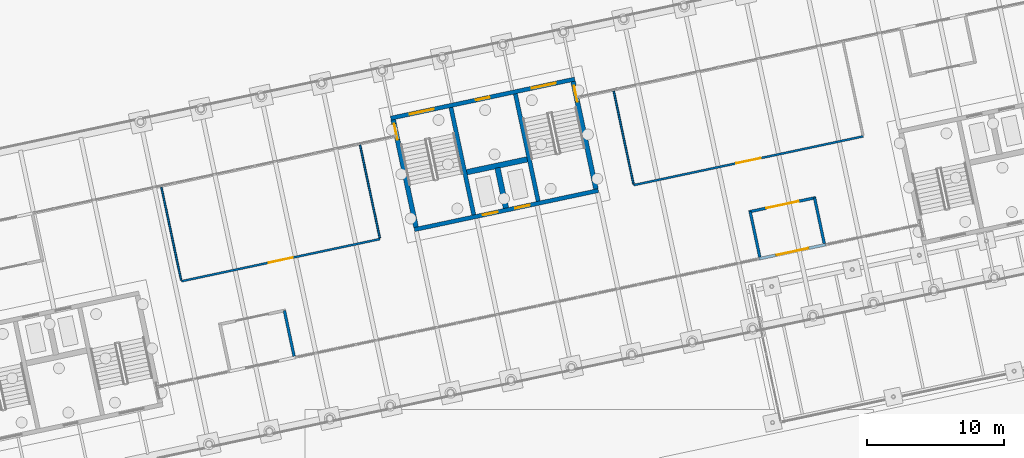
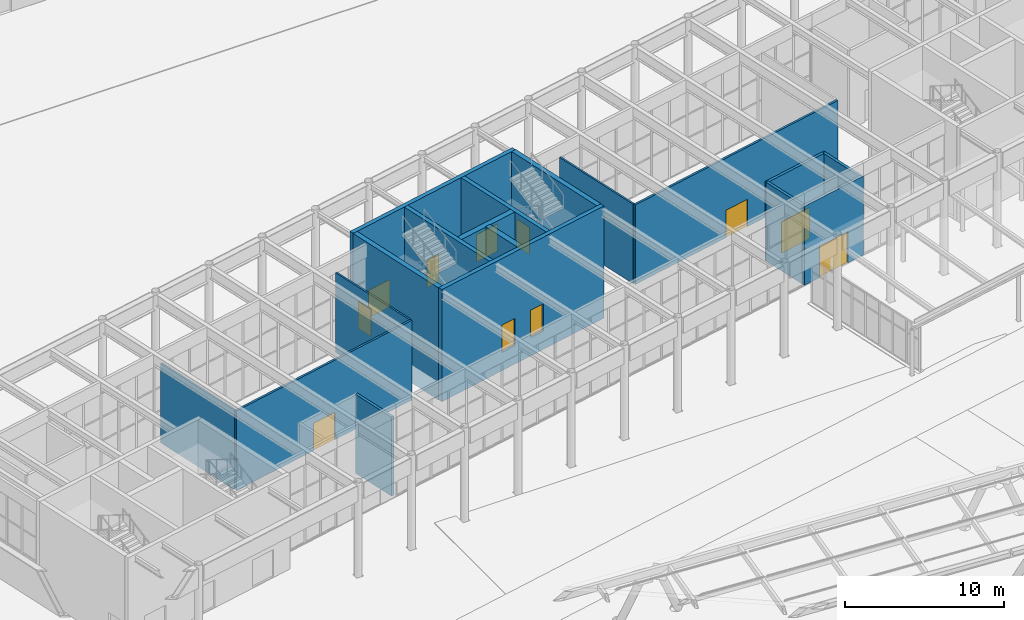
# One storey, part 166 of 239: 18 walls, 11 doors, 11 openings.
"""IFC4 building model written with IfcOpenShell, lengths in metres."""

from ifc_helpers import new_model, si_unit, direction, frame, frame_2d, origin, place, context, subcontext, project, spatial, rectangle, extrude, material, layer, layer_set, type_object, element, fill, save


model = new_model("IFC4")

# Units and contexts
model_context = context("Model", 3, precision=1e-05, world=origin(), true_north=direction((0.0, 1.0)))
body_context = subcontext(model_context, "Body", "Model", "MODEL_VIEW")
ifc_project = project(units=[si_unit("LENGTHUNIT", "METRE"), si_unit("AREAUNIT", "SQUARE_METRE"), si_unit("VOLUMEUNIT", "CUBIC_METRE"), si_unit("PLANEANGLEUNIT", "RADIAN"), si_unit("MASSUNIT", "GRAM", prefix="KILO")], contexts=[model_context])

# Site, building, storey
site_placement = place(None, origin())
site = spatial("IfcSite", under=ifc_project, at=site_placement, CompositionType="ELEMENT")
building_placement = place(site_placement, origin())
building = spatial("IfcBuilding", under=site, at=building_placement, Name="Okhra Congress Centre", CompositionType="ELEMENT")
storey_placement = place(building_placement, origin())
storey = spatial("IfcBuildingStorey", under=building, at=storey_placement, Name="L00", CompositionType="ELEMENT", Elevation=0.0)

# Wall, opening, door
ifc_material_1 = material(Name="Aluminium frame, triple glazing, laminated safety glass", Category="aluminium")
ifc_layer_1 = layer(ifc_material_1, 0.199951171875)
ifc_layer_set_1 = layer_set([ifc_layer_1], Name="Glazed entrance screen 200")
wall_type_1 = type_object("IfcWallType", Name="Glazed entrance screen 200", PredefinedType="SOLIDWALL", material=ifc_layer_set_1)
wall_1_placement = place(storey_placement, frame((123.087890625, 44.988037109375, 0.0), z_axis=(0.0, 0.0, 1.0), x_axis=(0.978149046495, 0.207904888932, 0.0)))
wall_1 = element("IfcWall", 1, at=wall_1_placement, inside=storey, type_object=wall_type_1, Name="Entrance screen 2", PredefinedType="SOLIDWALL", context=body_context, shape_type="SweptSolid", body=[
    extrude(rectangle(XDim=5.000244140625, YDim=0.199951171875, at=frame_2d((2.5, 0.0))), origin(), (0.0, 0.0, 1.0), 6.050048828125),
])
opening_1_placement = place(wall_1_placement, frame((1.300048828125, 0.0, 0.0)))
opening_1 = element("IfcOpeningElement", 2, at=opening_1_placement, cuts=wall_1, Name="Opening L00-283", PredefinedType="OPENING", context=body_context, shape_type="SweptSolid", body=[
    extrude(rectangle(XDim=2.39990234375, YDim=2.39990234375, at=frame_2d((1.199951171875, 1.199951171875))), frame((0.0, 0.10986328125, 0.0), z_axis=(0.0, -1.0, 0.0), x_axis=(1.0, 0.0, 0.0)), (0.0, 0.0, 1.0), 0.219970703125),
])
ifc_material_2 = material(Name="Aluminium-framed toughened glass sliding leaves, thermally broken", Category="aluminium")
door_type_1 = type_object("IfcDoorType", Name="Automatic sliding glazed door 2400x2400", OperationType="DOUBLE_DOOR_SLIDING", PredefinedType="DOOR", material=ifc_material_2)
door_1_placement = place(opening_1_placement, frame((2.39990234375, 0.0, 0.0), z_axis=(0.0, 0.0, 1.0), x_axis=(-1.0, 0.0, 0.0)))
door_1 = element("IfcDoor", 3, at=door_1_placement, inside=storey, type_object=door_type_1, Name="Door L00-283", OperationType="DOUBLE_DOOR_SLIDING", OverallHeight=2.39990234375, OverallWidth=2.39990234375, PredefinedType="DOOR", context=body_context, shape_type="SweptSolid", body=[
    extrude(rectangle(XDim=2.39990234375, YDim=2.39990234375, at=frame_2d((1.199951171875, 1.199951171875))), frame((0.0, 0.02490234375, 0.0), z_axis=(0.0, -1.0, 0.0), x_axis=(1.0, 0.0, 0.0)), (0.0, 0.0, 1.0), 0.050048828125),
])
fill(opening_1, door_1)

# Wall
ifc_layer_2 = layer(ifc_material_1, 0.199951171875)
ifc_layer_set_2 = layer_set([ifc_layer_2], Name="Glazed internal screen 200")
wall_type_2 = type_object("IfcWallType", Name="Glazed internal screen 200", PredefinedType="SOLIDWALL", material=ifc_layer_set_2)
wall_2_placement = place(storey_placement, frame((89.22314453125, 37.89208984375, 0.0), z_axis=(0.0, 0.0, 1.0), x_axis=(-0.207881084728, 0.978154105758, 0.0)))
element("IfcWall", 4, at=wall_2_placement, inside=storey, type_object=wall_type_2, Name="Vestibule side screen 1b", PredefinedType="SOLIDWALL", context=body_context, shape_type="SweptSolid", body=[
    extrude(rectangle(XDim=3.39990234375, YDim=0.199951171875, at=frame_2d((1.699951171875, 0.0))), origin(), (0.0, 0.0, 1.0), 6.050048828125),
])

# Wall, opening, door
wall_3_placement = place(storey_placement, frame((122.3603515625, 48.41162109375, 0.0), z_axis=(0.0, 0.0, 1.0), x_axis=(0.978146935828, 0.207914818928, 0.0)))
wall_3 = element("IfcWall", 5, at=wall_3_placement, inside=storey, type_object=wall_type_2, Name="Vestibule inner screen 2", PredefinedType="SOLIDWALL", context=body_context, shape_type="SweptSolid", body=[
    extrude(rectangle(XDim=5.0, YDim=0.199951171875, at=frame_2d((2.5, 0.0))), origin(), (0.0, 0.0, 1.0), 6.050048828125),
])
opening_2_placement = place(wall_3_placement, frame((1.300048828125, 0.0, 0.0)))
opening_2 = element("IfcOpeningElement", 6, at=opening_2_placement, cuts=wall_3, Name="Opening L00-284", PredefinedType="OPENING", context=body_context, shape_type="SweptSolid", body=[
    extrude(rectangle(XDim=2.39990234375, YDim=2.39990234375, at=frame_2d((1.199951171875, 1.199951171875))), frame((0.0, 0.10986328125, 0.0), z_axis=(0.0, -1.0, 0.0), x_axis=(1.0, 0.0, 0.0)), (0.0, 0.0, 1.0), 0.219970703125),
])
door_2_placement = place(opening_2_placement, origin())
door_2 = element("IfcDoor", 7, at=door_2_placement, inside=storey, type_object=door_type_1, Name="Door L00-284", OperationType="DOUBLE_DOOR_SLIDING", OverallHeight=2.39990234375, OverallWidth=2.39990234375, PredefinedType="DOOR", context=body_context, shape_type="SweptSolid", body=[
    extrude(rectangle(XDim=2.39990234375, YDim=2.39990234375, at=frame_2d((1.199951171875, 1.199951171875))), frame((0.0, 0.02490234375, 0.0), z_axis=(0.0, -1.0, 0.0), x_axis=(1.0, 0.0, 0.0)), (0.0, 0.0, 1.0), 0.050048828125),
])
fill(opening_2, door_2)

# Walls
for number, where, z_axis, x_axis, name in (
    (8, (123.1650390625, 45.106689453125, 0.0), (0.0, 0.0, 1.0), (-0.207949787024, 0.97813950236, 0.0), "Vestibule side screen 2a"),
    (9, (127.860107421875, 46.1044921875, 0.0), (0.0, 0.0, 1.0), (-0.207949787024, 0.97813950236, 0.0), "Vestibule side screen 2b"),
):
    element("IfcWall", number, at=place(storey_placement, frame(where, z_axis=z_axis, x_axis=x_axis)), inside=storey, type_object=wall_type_2, Name=name, PredefinedType="SOLIDWALL", context=body_context, shape_type="SweptSolid", body=[
        extrude(rectangle(XDim=3.39990234375, YDim=0.199951171875, at=frame_2d((1.699951171875, 0.0))), origin(), (0.0, 0.0, 1.0), 6.050048828125),
    ])
ifc_material_3 = material(Name="Gypsum board on steel studs", Category="steel")
ifc_layer_3 = layer(ifc_material_3, 0.125)
ifc_layer_set_3 = layer_set([ifc_layer_3], Name="Partition 125")
wall_type_3 = type_object("IfcWallType", Name="Partition 125", PredefinedType="PARTITIONING", material=ifc_layer_set_3)
for number, where, z_axis, x_axis, name in (
    (10, (79.552978515625, 50.200439453125, 0.0), (0.0, 0.0, 1.0), (0.207898812171, -0.978150338086, 0.0), "Room side wall 1a"),
    (11, (94.029541015625, 53.277587890625, 0.0), (0.0, 0.0, 1.0), (0.207898812171, -0.978150338086, 0.0), "Room side wall 1b"),
    (12, (112.516357421875, 57.20703125, 0.0), (0.0, 0.0, 1.0), (0.207932543024, -0.978143168228, 0.0), "Room side wall 2a"),
):
    element("IfcWall", number, at=place(storey_placement, frame(where, z_axis=z_axis, x_axis=x_axis)), inside=storey, type_object=wall_type_3, Name=name, PredefinedType="PARTITIONING", context=body_context, shape_type="SweptSolid", body=[
        extrude(rectangle(XDim=6.925048828125, YDim=0.125, at=frame_2d((3.46240234375, 0.0))), origin(), (0.0, 0.0, 1.0), 6.10009765625),
    ])

# Wall, opening, door
ifc_layer_4 = layer(ifc_material_3, 0.14990234375)
ifc_layer_set_4 = layer_set([ifc_layer_4], Name="Partition 150 EI 15")
wall_type_4 = type_object("IfcWallType", Name="Partition 150 EI 15", PredefinedType="PARTITIONING", material=ifc_layer_set_4)
wall_4_placement = place(storey_placement, frame((81.00830078125, 43.353515625, 0.0), z_axis=(0.0, 0.0, 1.0), x_axis=(0.978150129762, 0.20789979232, 0.0)))
wall_4 = element("IfcWall", 13, at=wall_4_placement, inside=storey, type_object=wall_type_4, Name="Room front wall 1", PredefinedType="PARTITIONING", context=body_context, shape_type="SweptSolid", body=[
    extrude(rectangle(XDim=14.800048828125, YDim=0.14990234375, at=frame_2d((7.39990234375, 0.0))), origin(), (0.0, 0.0, 1.0), 6.10009765625),
])
opening_3_placement = place(wall_4_placement, frame((6.5, 0.0, 0.0)))
opening_3 = element("IfcOpeningElement", 14, at=opening_3_placement, cuts=wall_4, Name="Opening L00-293", PredefinedType="OPENING", context=body_context, shape_type="SweptSolid", body=[
    extrude(rectangle(XDim=1.800048828125, YDim=2.10009765625, at=frame_2d((0.89990234375, 1.050048828125))), frame((0.0, 0.0849609375, 0.0), z_axis=(0.0, -1.0, 0.0), x_axis=(1.0, 0.0, 0.0)), (0.0, 0.0, 1.0), 0.169921875),
])
ifc_material_4 = material(Name="Timber door leaves in steel frame", Category="steel")
door_type_2 = type_object("IfcDoorType", Name="Double swing door 1800x2100", OperationType="NOTDEFINED", PredefinedType="DOOR", material=ifc_material_4)
door_3_placement = place(opening_3_placement, origin())
door_3 = element("IfcDoor", 15, at=door_3_placement, inside=storey, type_object=door_type_2, Name="Door L00-293", OperationType="DOUBLE_DOOR_SINGLE_SWING", OverallHeight=2.10009765625, OverallWidth=1.800048828125, PredefinedType="DOOR", context=body_context, shape_type="SweptSolid", body=[
    extrude(rectangle(XDim=1.800048828125, YDim=2.10009765625, at=frame_2d((0.89990234375, 1.050048828125))), frame((0.0, 0.02490234375, 0.0), z_axis=(0.0, -1.0, 0.0), x_axis=(1.0, 0.0, 0.0)), (0.0, 0.0, 1.0), 0.050048828125),
])
fill(opening_3, door_3)

wall_5_placement = place(storey_placement, frame((113.971923828125, 50.360107421875, 0.0), z_axis=(0.0, 0.0, 1.0), x_axis=(0.978148943882, 0.207905371704, 0.0)))
wall_5 = element("IfcWall", 16, at=wall_5_placement, inside=storey, type_object=wall_type_4, Name="Room front wall 2", PredefinedType="PARTITIONING", context=body_context, shape_type="SweptSolid", body=[
    extrude(rectangle(XDim=17.099853515625, YDim=0.14990234375, at=frame_2d((8.5498046875, 0.0))), origin(), (0.0, 0.0, 1.0), 6.10009765625),
])
opening_4_placement = place(wall_5_placement, frame((7.64990234375, 0.0, 0.0)))
opening_4 = element("IfcOpeningElement", 17, at=opening_4_placement, cuts=wall_5, Name="Opening L00-294", PredefinedType="OPENING", context=body_context, shape_type="SweptSolid", body=[
    extrude(rectangle(XDim=1.800048828125, YDim=2.10009765625, at=frame_2d((0.89990234375, 1.050048828125))), frame((0.0, 0.0849609375, 0.0), z_axis=(0.0, -1.0, 0.0), x_axis=(1.0, 0.0, 0.0)), (0.0, 0.0, 1.0), 0.169921875),
])
door_4_placement = place(opening_4_placement, origin())
door_4 = element("IfcDoor", 18, at=door_4_placement, inside=storey, type_object=door_type_2, Name="Door L00-294", OperationType="DOUBLE_DOOR_SINGLE_SWING", OverallHeight=2.10009765625, OverallWidth=1.800048828125, PredefinedType="DOOR", context=body_context, shape_type="SweptSolid", body=[
    extrude(rectangle(XDim=1.800048828125, YDim=2.10009765625, at=frame_2d((0.89990234375, 1.050048828125))), frame((0.0, 0.02490234375, 0.0), z_axis=(0.0, -1.0, 0.0), x_axis=(1.0, 0.0, 0.0)), (0.0, 0.0, 1.0), 0.050048828125),
])
fill(opening_4, door_4)

# Wall, openings, doors
ifc_material_5 = material(Name="Concrete C35/45", Category="concrete")
ifc_layer_5 = layer(ifc_material_5, 0.300048828125)
ifc_layer_set_5 = layer_set([ifc_layer_5], Name="RC core wall 300 REI 120 C35/45")
wall_type_5 = type_object("IfcWallType", Name="RC core wall 300 REI 120 C35/45", PredefinedType="SHEAR", material=ifc_layer_set_5)
wall_6_placement = place(storey_placement, frame((96.271240234375, 55.236328125, -1.39990234375), z_axis=(0.0, 0.0, 1.0), x_axis=(0.978147662755, 0.20791139903, 0.0)))
wall_6 = element("IfcWall", 19, at=wall_6_placement, inside=storey, type_object=wall_type_5, Name="BX.WALL.L00.K2S", PredefinedType="SHEAR", context=body_context, shape_type="SweptSolid", body=[
    extrude(rectangle(XDim=13.699951171875, YDim=0.300048828125, at=frame_2d((6.85009765625, 0.0))), origin(), (0.0, 0.0, 1.0), 8.599853515625),
])
opening_5_placement = place(wall_6_placement, frame((1.39990234375, 0.0, 1.39990234375)))
opening_5 = element("IfcOpeningElement", 20, at=opening_5_placement, cuts=wall_6, Name="Opening L00-257", PredefinedType="OPENING", context=body_context, shape_type="SweptSolid", body=[
    extrude(rectangle(XDim=1.800048828125, YDim=2.10009765625, at=frame_2d((0.89990234375, 1.050048828125))), frame((0.0, 0.159912109375, 0.0), z_axis=(0.0, -1.0, 0.0), x_axis=(1.0, 0.0, 0.0)), (0.0, 0.0, 1.0), 0.320068359375),
])
opening_6_placement = place(wall_6_placement, frame((10.5, 0.0, 1.39990234375)))
opening_6 = element("IfcOpeningElement", 21, at=opening_6_placement, cuts=wall_6, Name="Opening L00-258", PredefinedType="OPENING", context=body_context, shape_type="SweptSolid", body=[
    extrude(rectangle(XDim=1.800048828125, YDim=2.10009765625, at=frame_2d((0.89990234375, 1.050048828125))), frame((0.0, 0.159912109375, 0.0), z_axis=(0.0, -1.0, 0.0), x_axis=(1.0, 0.0, 0.0)), (0.0, 0.0, 1.0), 0.320068359375),
])
opening_7_placement = place(wall_6_placement, frame((6.35009765625, 0.0, 1.39990234375)))
opening_7 = element("IfcOpeningElement", 22, at=opening_7_placement, cuts=wall_6, Name="Opening L00-259", PredefinedType="OPENING", context=body_context, shape_type="SweptSolid", body=[
    extrude(rectangle(XDim=1.0, YDim=2.10009765625, at=frame_2d((0.5, 1.050048828125))), frame((0.0, 0.159912109375, 0.0), z_axis=(0.0, -1.0, 0.0), x_axis=(1.0, 0.0, 0.0)), (0.0, 0.0, 1.0), 0.320068359375),
])
ifc_material_6 = material(Name="Steel fire door leaf in steel frame, intumescent seals", Category="steel")
door_type_3 = type_object("IfcDoorType", Name="Steel fire door 1000x2100 EI 30", OperationType="NOTDEFINED", PredefinedType="DOOR", material=ifc_material_6)
door_5_placement = place(opening_7_placement, origin())
door_5 = element("IfcDoor", 23, at=door_5_placement, inside=storey, type_object=door_type_3, Name="Door L00-259", OperationType="SINGLE_SWING_RIGHT", OverallHeight=2.10009765625, OverallWidth=1.0, PredefinedType="DOOR", context=body_context, shape_type="SweptSolid", body=[
    extrude(rectangle(XDim=1.0, YDim=2.10009765625, at=frame_2d((0.5, 1.050048828125))), frame((0.0, 0.02490234375, 0.0), z_axis=(0.0, -1.0, 0.0), x_axis=(1.0, 0.0, 0.0)), (0.0, 0.0, 1.0), 0.050048828125),
])
fill(opening_7, door_5)
ifc_material_7 = material(Name="Steel fire door leaves in steel frame, intumescent seals", Category="steel")
door_type_4 = type_object("IfcDoorType", Name="Steel fire door pair 1800x2100 EI 30", OperationType="NOTDEFINED", PredefinedType="DOOR", material=ifc_material_7)
door_6_placement = place(opening_5_placement, origin())
door_6 = element("IfcDoor", 24, at=door_6_placement, inside=storey, type_object=door_type_4, Name="Door L00-257", OperationType="DOUBLE_DOOR_SINGLE_SWING", OverallHeight=2.10009765625, OverallWidth=1.800048828125, PredefinedType="DOOR", context=body_context, shape_type="SweptSolid", body=[
    extrude(rectangle(XDim=1.800048828125, YDim=2.10009765625, at=frame_2d((0.89990234375, 1.050048828125))), frame((0.0, 0.02490234375, 0.0), z_axis=(0.0, -1.0, 0.0), x_axis=(1.0, 0.0, 0.0)), (0.0, 0.0, 1.0), 0.050048828125),
])
fill(opening_5, door_6)
door_7_placement = place(opening_6_placement, origin())
door_7 = element("IfcDoor", 25, at=door_7_placement, inside=storey, type_object=door_type_4, Name="Door L00-258", OperationType="DOUBLE_DOOR_SINGLE_SWING", OverallHeight=2.10009765625, OverallWidth=1.800048828125, PredefinedType="DOOR", context=body_context, shape_type="SweptSolid", body=[
    extrude(rectangle(XDim=1.800048828125, YDim=2.10009765625, at=frame_2d((0.89990234375, 1.050048828125))), frame((0.0, 0.02490234375, 0.0), z_axis=(0.0, -1.0, 0.0), x_axis=(1.0, 0.0, 0.0)), (0.0, 0.0, 1.0), 0.050048828125),
])
fill(opening_6, door_7)

wall_7_placement = place(storey_placement, frame((97.996826171875, 47.117919921875, -1.39990234375), z_axis=(0.0, 0.0, 1.0), x_axis=(0.978147662755, 0.20791139903, 0.0)))
wall_7 = element("IfcWall", 26, at=wall_7_placement, inside=storey, type_object=wall_type_5, Name="BX.WALL.L00.K2T", PredefinedType="SHEAR", context=body_context, shape_type="SweptSolid", body=[
    extrude(rectangle(XDim=13.699951171875, YDim=0.300048828125, at=frame_2d((6.85009765625, 0.0))), origin(), (0.0, 0.0, 1.0), 8.599853515625),
])
opening_8_placement = place(wall_7_placement, frame((5.10009765625, 0.0, 1.39990234375)))
opening_8 = element("IfcOpeningElement", 27, at=opening_8_placement, cuts=wall_7, Name="Opening L00-253", PredefinedType="OPENING", context=body_context, shape_type="SweptSolid", body=[
    extrude(rectangle(XDim=1.10009765625, YDim=2.10009765625, at=frame_2d((0.550048828125, 1.050048828125))), frame((0.0, 0.159912109375, 0.0), z_axis=(0.0, -1.0, 0.0), x_axis=(1.0, 0.0, 0.0)), (0.0, 0.0, 1.0), 0.320068359375),
])
opening_9_placement = place(wall_7_placement, frame((7.5, 0.0, 1.39990234375)))
opening_9 = element("IfcOpeningElement", 28, at=opening_9_placement, cuts=wall_7, Name="Opening L00-254", PredefinedType="OPENING", context=body_context, shape_type="SweptSolid", body=[
    extrude(rectangle(XDim=1.10009765625, YDim=2.10009765625, at=frame_2d((0.550048828125, 1.050048828125))), frame((0.0, 0.159912109375, 0.0), z_axis=(0.0, -1.0, 0.0), x_axis=(1.0, 0.0, 0.0)), (0.0, 0.0, 1.0), 0.320068359375),
])
ifc_material_8 = material(Name="Stainless steel sliding landing door leaves", Category="steel")
door_type_5 = type_object("IfcDoorType", Name="Lift landing door 1100x2100 EI 30", OperationType="DOUBLE_DOOR_SLIDING", PredefinedType="DOOR", material=ifc_material_8)
door_8_placement = place(opening_8_placement, frame((1.10009765625, 0.0, 0.0), z_axis=(0.0, 0.0, 1.0), x_axis=(-1.0, 0.0, 0.0)))
door_8 = element("IfcDoor", 29, at=door_8_placement, inside=storey, type_object=door_type_5, Name="Door L00-253", OperationType="DOUBLE_DOOR_SLIDING", OverallHeight=2.10009765625, OverallWidth=1.10009765625, PredefinedType="DOOR", context=body_context, shape_type="SweptSolid", body=[
    extrude(rectangle(XDim=1.10009765625, YDim=2.10009765625, at=frame_2d((0.550048828125, 1.050048828125))), frame((0.0, 0.02490234375, 0.0), z_axis=(0.0, -1.0, 0.0), x_axis=(1.0, 0.0, 0.0)), (0.0, 0.0, 1.0), 0.050048828125),
])
fill(opening_8, door_8)
door_9_placement = place(opening_9_placement, frame((1.10009765625, 0.0, 0.0), z_axis=(0.0, 0.0, 1.0), x_axis=(-1.0, 0.0, 0.0)))
door_9 = element("IfcDoor", 30, at=door_9_placement, inside=storey, type_object=door_type_5, Name="Door L00-254", OperationType="DOUBLE_DOOR_SLIDING", OverallHeight=2.10009765625, OverallWidth=1.10009765625, PredefinedType="DOOR", context=body_context, shape_type="SweptSolid", body=[
    extrude(rectangle(XDim=1.10009765625, YDim=2.10009765625, at=frame_2d((0.550048828125, 1.050048828125))), frame((0.0, 0.02490234375, 0.0), z_axis=(0.0, -1.0, 0.0), x_axis=(1.0, 0.0, 0.0)), (0.0, 0.0, 1.0), 0.050048828125),
])
fill(opening_9, door_9)

# Walls
for number, where, z_axis, x_axis, name in (
    (31, (100.655029296875, 56.014892578125, -1.39990234375), (0.0, 0.0, 1.0), (0.207915693476, -0.978146749934, 0.0), "BX.WALL.L00.K2P1"),
    (32, (105.35009765625, 57.012939453125, -1.39990234375), (0.0, 0.0, 1.0), (0.207915693476, -0.978146749934, 0.0), "BX.WALL.L00.K2P2"),
):
    element("IfcWall", number, at=place(storey_placement, frame(where, z_axis=z_axis, x_axis=x_axis)), inside=storey, type_object=wall_type_5, Name=name, PredefinedType="SHEAR", context=body_context, shape_type="SweptSolid", body=[
        extrude(rectangle(XDim=8.0, YDim=0.300048828125, at=frame_2d((4.0, 0.0))), origin(), (0.0, 0.0, 1.0), 8.599853515625),
    ])
ifc_layer_6 = layer(ifc_material_5, 0.39990234375)
ifc_layer_set_6 = layer_set([ifc_layer_6], Name="RC core wall 400 REI 120 C35/45")
wall_type_6 = type_object("IfcWallType", Name="RC core wall 400 REI 120 C35/45", PredefinedType="SHEAR", material=ifc_layer_set_6)
wall_8_placement = place(storey_placement, frame((104.042236328125, 51.623291015625, -1.39990234375), z_axis=(0.0, 0.0, 1.0), x_axis=(0.207917150959, -0.978146440129, 0.0)))
element("IfcWall", 33, at=wall_8_placement, inside=storey, type_object=wall_type_6, Name="BX.WALL.L00.K2D", PredefinedType="SHEAR", context=body_context, shape_type="SweptSolid", body=[
    extrude(rectangle(XDim=3.000244140625, YDim=0.39990234375, at=frame_2d((1.5, 0.0))), origin(), (0.0, 0.0, 1.0), 8.599853515625),
])
wall_9_placement = place(storey_placement, frame((101.810302734375, 51.302001953125, -1.39990234375), z_axis=(0.0, 0.0, 1.0), x_axis=(0.978138577198, 0.207954138688, 0.0)))
element("IfcWall", 34, at=wall_9_placement, inside=storey, type_object=wall_type_6, Name="BX.WALL.L00.K2R", PredefinedType="SHEAR", context=body_context, shape_type="SweptSolid", body=[
    extrude(rectangle(XDim=4.5, YDim=0.39990234375, at=frame_2d((2.25, 0.0))), origin(), (0.0, 0.0, 1.0), 8.599853515625),
])

# Wall, opening, door
ifc_material_9 = material(Name="Concrete C30/37", Category="concrete")
ifc_layer_7 = layer(ifc_material_9, 0.35009765625)
ifc_layer_set_7 = layer_set([ifc_layer_7], Name="RC wall 350 REI 120 C30/37")
wall_type_7 = type_object("IfcWallType", Name="RC wall 350 REI 120 C30/37", PredefinedType="SOLIDWALL", material=ifc_layer_set_7)
wall_10_placement = place(storey_placement, frame((96.448974609375, 55.120849609375, -1.39990234375), z_axis=(0.0, 0.0, 1.0), x_axis=(0.207915693476, -0.978146749934, 0.0)))
wall_10 = element("IfcWall", 35, at=wall_10_placement, inside=storey, type_object=wall_type_7, Name="BX.WALL.L00.K2W", PredefinedType="SOLIDWALL", context=body_context, shape_type="SweptSolid", body=[
    extrude(rectangle(XDim=8.0, YDim=0.35009765625, at=frame_2d((4.0, 0.0))), origin(), (0.0, 0.0, 1.0), 8.599853515625),
])
opening_10_placement = place(wall_10_placement, frame((0.300048828125, 0.0, 1.39990234375)))
opening_10 = element("IfcOpeningElement", 36, at=opening_10_placement, cuts=wall_10, Name="Opening L00-255", PredefinedType="OPENING", context=body_context, shape_type="SweptSolid", body=[
    extrude(rectangle(XDim=1.199951171875, YDim=2.10009765625, at=frame_2d((0.60009765625, 1.050048828125))), frame((0.0, 0.18505859375, 0.0), z_axis=(0.0, -1.0, 0.0), x_axis=(1.0, 0.0, 0.0)), (0.0, 0.0, 1.0), 0.3701171875),
])
door_type_6 = type_object("IfcDoorType", Name="Steel fire door 1200x2100 EI 30", OperationType="NOTDEFINED", PredefinedType="DOOR", material=ifc_material_6)
door_10_placement = place(opening_10_placement, frame((1.199951171875, 0.0, 0.0), z_axis=(0.0, 0.0, 1.0), x_axis=(-1.0, 0.0, 0.0)))
door_10 = element("IfcDoor", 37, at=door_10_placement, inside=storey, type_object=door_type_6, Name="Door L00-255", OperationType="SINGLE_SWING_RIGHT", OverallHeight=2.10009765625, OverallWidth=1.199951171875, PredefinedType="DOOR", context=body_context, shape_type="SweptSolid", body=[
    extrude(rectangle(XDim=1.199951171875, YDim=2.10009765625, at=frame_2d((0.60009765625, 1.050048828125))), frame((0.0, 0.02490234375, 0.0), z_axis=(0.0, -1.0, 0.0), x_axis=(1.0, 0.0, 0.0)), (0.0, 0.0, 1.0), 0.050048828125),
])
fill(opening_10, door_10)

wall_11_placement = place(storey_placement, frame((109.55615234375, 57.906982421875, -1.39990234375), z_axis=(0.0, 0.0, 1.0), x_axis=(0.207915693476, -0.978146749934, 0.0)))
wall_11 = element("IfcWall", 38, at=wall_11_placement, inside=storey, type_object=wall_type_7, Name="BX.WALL.L00.K2E", PredefinedType="SOLIDWALL", context=body_context, shape_type="SweptSolid", body=[
    extrude(rectangle(XDim=8.0, YDim=0.35009765625, at=frame_2d((4.0, 0.0))), origin(), (0.0, 0.0, 1.0), 8.599853515625),
])
opening_11_placement = place(wall_11_placement, frame((0.300048828125, 0.0, 1.39990234375)))
opening_11 = element("IfcOpeningElement", 39, at=opening_11_placement, cuts=wall_11, Name="Opening L00-256", PredefinedType="OPENING", context=body_context, shape_type="SweptSolid", body=[
    extrude(rectangle(XDim=1.199951171875, YDim=2.10009765625, at=frame_2d((0.60009765625, 1.050048828125))), frame((0.0, 0.18505859375, 0.0), z_axis=(0.0, -1.0, 0.0), x_axis=(1.0, 0.0, 0.0)), (0.0, 0.0, 1.0), 0.3701171875),
])
door_11_placement = place(opening_11_placement, origin())
door_11 = element("IfcDoor", 40, at=door_11_placement, inside=storey, type_object=door_type_6, Name="Door L00-256", OperationType="SINGLE_SWING_RIGHT", OverallHeight=2.10009765625, OverallWidth=1.199951171875, PredefinedType="DOOR", context=body_context, shape_type="SweptSolid", body=[
    extrude(rectangle(XDim=1.199951171875, YDim=2.10009765625, at=frame_2d((0.60009765625, 1.050048828125))), frame((0.0, 0.02490234375, 0.0), z_axis=(0.0, -1.0, 0.0), x_axis=(1.0, 0.0, 0.0)), (0.0, 0.0, 1.0), 0.050048828125),
])
fill(opening_11, door_11)

save(model, "model.ifc")
